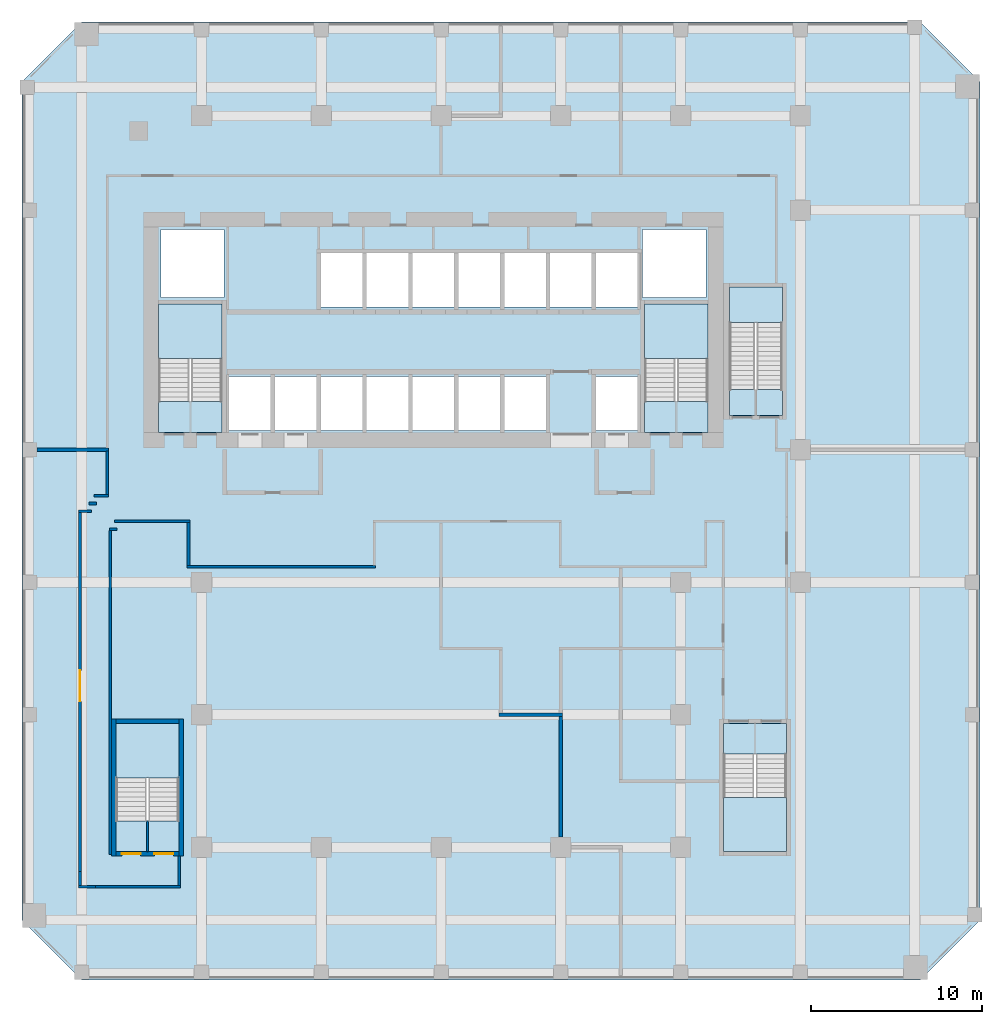
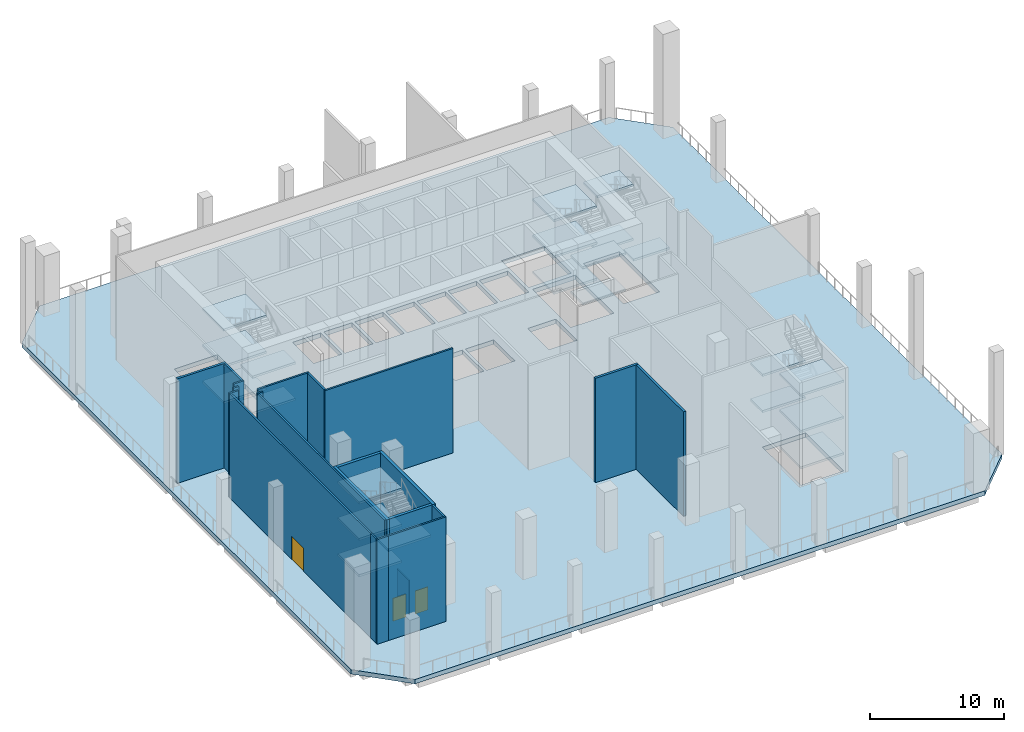
# One storey, part 2 of 12: 23 slabs, 22 walls, 3 doors, 3 openings, 5 elements without a shape of their own.
"""IFC4 building model written with IfcOpenShell, lengths in metres."""

from ifc_helpers import new_model, si_unit, direction, frame, frame_2d, origin, place, context, subcontext, project, spatial, polyline, rectangle, outline, extrude, source, transform, mapped, material, layer, layer_set, type_object, element, fill, aggregate, save


model = new_model("IFC4")

# Units and contexts
model_context = context("Model", 3, precision=1e-05, world=origin(), true_north=direction((0.0, 1.0)))
body_context = subcontext(model_context, "Body", "Model", "MODEL_VIEW")
ifc_project = project(units=[si_unit("LENGTHUNIT", "METRE"), si_unit("AREAUNIT", "SQUARE_METRE"), si_unit("VOLUMEUNIT", "CUBIC_METRE"), si_unit("PLANEANGLEUNIT", "RADIAN"), si_unit("MASSUNIT", "GRAM", prefix="KILO")], contexts=[model_context])

# Site, building, storey
site_placement = place(None, origin())
site = spatial("IfcSite", under=ifc_project, at=site_placement, CompositionType="ELEMENT")
building_placement = place(site_placement, origin())
building = spatial("IfcBuilding", under=site, at=building_placement, Name="Kilnfold Tower and Market Hall", CompositionType="ELEMENT")
storey_placement = place(building_placement, frame((0.0, 0.0, 128.60009765625)))
storey = spatial("IfcBuildingStorey", under=building, at=storey_placement, Name="L30 Refuge Wind Floor", CompositionType="ELEMENT", Elevation=128.60009765625)

# Slab
ifc_material_1 = material(Name="Concrete C45", Category="concrete")
ifc_layer_1 = layer(ifc_material_1, 0.39990234375)
ifc_layer_set_1 = layer_set([ifc_layer_1], Name="Concrete C45")
slab_type_1 = type_object("IfcSlabType", Name="FLOOR SLAB 400", PredefinedType="FLOOR", material=ifc_layer_set_1)
shared_shape_1 = source(origin(), body_context, "Body", "SweptSolid", [
    extrude(outline(polyline([(-19.5, -23.0), (29.5, -23.0), (33.0, -19.5), (33.0, 29.5), (29.5, 33.0), (-19.5, 33.0), (-23.0, 29.5), (-23.0, -19.5), (-19.5, -23.0)]), holes=[polyline([(-13.800537109375, -13.699462890625), (-17.49951171875, -13.699462890625), (-17.49951171875, -8.00048828125), (-13.800537109375, -8.00048828125), (-13.800537109375, -13.699462890625)]), polyline([(-14.99951171875, 10.800537109375), (-14.99951171875, 16.49951171875), (-11.300537109375, 16.49951171875), (-11.300537109375, 10.800537109375), (-14.99951171875, 10.800537109375)]), polyline([(-14.875, 16.875), (-14.875, 20.875), (-11.175048828125, 20.875), (-11.175048828125, 16.875), (-14.875, 16.875)]), polyline([(-8.455078125, 9.125), (-10.885009765625, 9.125), (-10.885009765625, 12.27490234375), (-8.455078125, 12.27490234375), (-8.455078125, 9.125)]), polyline([(-5.77490234375, 9.125), (-8.205078125, 9.125), (-8.205078125, 12.27490234375), (-5.77490234375, 12.27490234375), (-5.77490234375, 9.125)]), polyline([(-5.52490234375, 9.125), (-5.52490234375, 12.27490234375), (-3.094970703125, 12.27490234375), (-3.094970703125, 9.125), (-5.52490234375, 9.125)]), polyline([(-5.52490234375, 16.324951171875), (-5.52490234375, 19.47509765625), (-3.094970703125, 19.47509765625), (-3.094970703125, 16.324951171875), (-5.52490234375, 16.324951171875)]), polyline([(-2.844970703125, 9.125), (-2.844970703125, 12.27490234375), (-0.4150390625, 12.27490234375), (-0.4150390625, 9.125), (-2.844970703125, 9.125)]), polyline([(-0.4150390625, 16.324951171875), (-2.844970703125, 16.324951171875), (-2.844970703125, 19.47509765625), (-0.4150390625, 19.47509765625), (-0.4150390625, 16.324951171875)]), polyline([(2.264892578125, 9.125), (-0.1650390625, 9.125), (-0.1650390625, 12.27490234375), (2.264892578125, 12.27490234375), (2.264892578125, 9.125)]), polyline([(-0.1650390625, 16.324951171875), (-0.1650390625, 19.47509765625), (2.264892578125, 19.47509765625), (2.264892578125, 16.324951171875), (-0.1650390625, 16.324951171875)]), polyline([(4.945068359375, 9.125), (2.514892578125, 9.125), (2.514892578125, 12.27490234375), (4.945068359375, 12.27490234375), (4.945068359375, 9.125)]), polyline([(2.514892578125, 16.324951171875), (2.514892578125, 19.47509765625), (4.945068359375, 19.47509765625), (4.945068359375, 16.324951171875), (2.514892578125, 16.324951171875)]), polyline([(7.625, 9.125), (5.195068359375, 9.125), (5.195068359375, 12.27490234375), (7.625, 12.27490234375), (7.625, 9.125)]), polyline([(5.195068359375, 16.324951171875), (5.195068359375, 19.47509765625), (7.625, 19.47509765625), (7.625, 16.324951171875), (5.195068359375, 16.324951171875)]), polyline([(10.304931640625, 16.324951171875), (7.875, 16.324951171875), (7.875, 19.47509765625), (10.304931640625, 19.47509765625), (10.304931640625, 16.324951171875)]), polyline([(10.554931640625, 9.125), (10.554931640625, 12.27490234375), (12.985107421875, 12.27490234375), (12.985107421875, 9.125), (10.554931640625, 9.125)]), polyline([(10.554931640625, 16.324951171875), (10.554931640625, 19.47509765625), (12.985107421875, 19.47509765625), (12.985107421875, 16.324951171875), (10.554931640625, 16.324951171875)]), polyline([(13.27490234375, 16.875), (13.27490234375, 20.875), (16.97509765625, 20.875), (16.97509765625, 16.875), (13.27490234375, 16.875)]), polyline([(13.400390625, 10.800537109375), (13.400390625, 16.49951171875), (17.099609375, 16.49951171875), (17.099609375, 10.800537109375), (13.400390625, 10.800537109375)]), polyline([(18.00048828125, -9.800537109375), (21.699462890625, -9.800537109375), (21.699462890625, -15.49951171875), (18.00048828125, -15.49951171875), (18.00048828125, -9.800537109375)]), polyline([(21.449462890625, 11.50048828125), (18.3505859375, 11.50048828125), (18.3505859375, 17.49951171875), (21.449462890625, 17.49951171875), (21.449462890625, 11.50048828125)])]), origin(), (0.0, 0.0, 1.0), 0.400146484375),
])
slab_1_placement = place(storey_placement, frame((0.0, 0.0, -0.400146484375)))
element("IfcSlab", 1, at=slab_1_placement, inside=storey, type_object=slab_type_1, Name="Floor slab L30", PredefinedType="FLOOR", context=body_context, shape_type="MappedRepresentation", body=[
    mapped(shared_shape_1, transform((0.0, 0.0, 0.0))),
])

# Stair, slabs
ifc_material_2 = material(Name="Concrete C40/50", Category="concrete")
stair_type_1 = type_object("IfcStairType", Name="CORE STAIR 1800", PredefinedType="HALF_TURN_STAIR", material=ifc_material_2)
stair_1_placement = place(storey_placement, origin())
stair_1 = element("IfcStair", 2, at=stair_1_placement, inside=storey, type_object=stair_type_1, Name="L30 Refuge Wind Floor ST1", PredefinedType="HALF_TURN_STAIR")
ifc_material_3 = material(Name="Concrete C40/50", Category="concrete")
ifc_layer_2 = layer(ifc_material_3, 0.199951171875)
ifc_layer_set_2 = layer_set([ifc_layer_2], Name="Concrete C40/50")
slab_type_2 = type_object("IfcSlabType", Name="CORE STAIR LANDING 200", PredefinedType="LANDING", material=ifc_layer_set_2)
shared_shape_2 = source(origin(), body_context, "Body", "SweptSolid", [
    extrude(outline(polyline([(-11.300048828125, 9.0), (-11.300048828125, 10.800048828125), (-15.0, 10.800048828125), (-15.0, 9.0), (-11.300048828125, 9.0)])), origin(), (0.0, 0.0, 1.0), 0.199951171875),
])
slab_2_placement = place(storey_placement, frame((0.0, 0.0, 3.099853515625)))
slab_2 = element("IfcSlab", 3, at=slab_2_placement, type_object=slab_type_2, Name="ST1 landing 2", PredefinedType="LANDING", context=body_context, shape_type="MappedRepresentation", body=[
    mapped(shared_shape_2, transform((0.0, 0.0, 0.0))),
])
slab_3_placement = place(storey_placement, frame((0.0, 0.0, 6.39990234375)))
slab_3 = element("IfcSlab", 4, at=slab_3_placement, type_object=slab_type_2, Name="ST1 landing 4", PredefinedType="LANDING", context=body_context, shape_type="MappedRepresentation", body=[
    mapped(shared_shape_2, transform((0.0, 0.0, 0.0))),
])
shared_shape_3 = source(origin(), body_context, "Body", "SweptSolid", [
    extrude(outline(polyline([(-11.300048828125, 13.320068359375), (-11.300048828125, 16.5), (-15.0, 16.5), (-15.0, 13.320068359375), (-11.300048828125, 13.320068359375)])), origin(), (0.0, 0.0, 1.0), 0.199951171875),
])
slab_4_placement = place(storey_placement, frame((0.0, 0.0, 1.449951171875)))
slab_4 = element("IfcSlab", 5, at=slab_4_placement, type_object=slab_type_2, Name="ST1 landing 1", PredefinedType="LANDING", context=body_context, shape_type="MappedRepresentation", body=[
    mapped(shared_shape_3, transform((0.0, 0.0, 0.0))),
])
slab_5_placement = place(storey_placement, frame((0.0, 0.0, 4.75)))
slab_5 = element("IfcSlab", 6, at=slab_5_placement, type_object=slab_type_2, Name="ST1 landing 3", PredefinedType="LANDING", context=body_context, shape_type="MappedRepresentation", body=[
    mapped(shared_shape_3, transform((0.0, 0.0, 0.0))),
])
shared_shape_4 = source(origin(), body_context, "Body", "SweptSolid", [
    extrude(outline(polyline([(-11.300048828125, 13.320068359375), (-11.300048828125, 16.5), (-15.0, 16.5), (-15.0, 13.320068359375), (-11.300048828125, 13.320068359375)])), origin(), (0.0, 0.0, 1.0), 0.2001953125),
])
slab_6_placement = place(storey_placement, frame((0.0, 0.0, 8.0498046875)))
slab_6 = element("IfcSlab", 7, at=slab_6_placement, type_object=slab_type_2, Name="ST1 landing 5", PredefinedType="LANDING", context=body_context, shape_type="MappedRepresentation", body=[
    mapped(shared_shape_4, transform((0.0, 0.0, 0.0))),
])
aggregate(stair_1, [slab_4, slab_2, slab_5, slab_3, slab_6])

stair_2_placement = place(storey_placement, origin())
stair_2 = element("IfcStair", 8, at=stair_2_placement, inside=storey, type_object=stair_type_1, Name="L30 Refuge Wind Floor ST2", PredefinedType="HALF_TURN_STAIR")
shared_shape_5 = source(origin(), body_context, "Body", "SweptSolid", [
    extrude(outline(polyline([(17.10009765625, 9.0), (17.10009765625, 10.800048828125), (13.39990234375, 10.800048828125), (13.39990234375, 9.0), (17.10009765625, 9.0)])), origin(), (0.0, 0.0, 1.0), 0.199951171875),
])
slab_7_placement = place(storey_placement, frame((0.0, 0.0, 3.099853515625)))
slab_7 = element("IfcSlab", 9, at=slab_7_placement, type_object=slab_type_2, Name="ST2 landing 2", PredefinedType="LANDING", context=body_context, shape_type="MappedRepresentation", body=[
    mapped(shared_shape_5, transform((0.0, 0.0, 0.0))),
])
slab_8_placement = place(storey_placement, frame((0.0, 0.0, 6.39990234375)))
slab_8 = element("IfcSlab", 10, at=slab_8_placement, type_object=slab_type_2, Name="ST2 landing 4", PredefinedType="LANDING", context=body_context, shape_type="MappedRepresentation", body=[
    mapped(shared_shape_5, transform((0.0, 0.0, 0.0))),
])
shared_shape_6 = source(origin(), body_context, "Body", "SweptSolid", [
    extrude(outline(polyline([(17.10009765625, 13.320068359375), (17.10009765625, 16.5), (13.39990234375, 16.5), (13.39990234375, 13.320068359375), (17.10009765625, 13.320068359375)])), origin(), (0.0, 0.0, 1.0), 0.199951171875),
])
slab_9_placement = place(storey_placement, frame((0.0, 0.0, 1.449951171875)))
slab_9 = element("IfcSlab", 11, at=slab_9_placement, type_object=slab_type_2, Name="ST2 landing 1", PredefinedType="LANDING", context=body_context, shape_type="MappedRepresentation", body=[
    mapped(shared_shape_6, transform((0.0, 0.0, 0.0))),
])
slab_10_placement = place(storey_placement, frame((0.0, 0.0, 4.75)))
slab_10 = element("IfcSlab", 12, at=slab_10_placement, type_object=slab_type_2, Name="ST2 landing 3", PredefinedType="LANDING", context=body_context, shape_type="MappedRepresentation", body=[
    mapped(shared_shape_6, transform((0.0, 0.0, 0.0))),
])
shared_shape_7 = source(origin(), body_context, "Body", "SweptSolid", [
    extrude(outline(polyline([(17.10009765625, 13.320068359375), (17.10009765625, 16.5), (13.39990234375, 16.5), (13.39990234375, 13.320068359375), (17.10009765625, 13.320068359375)])), origin(), (0.0, 0.0, 1.0), 0.2001953125),
])
slab_11_placement = place(storey_placement, frame((0.0, 0.0, 8.0498046875)))
slab_11 = element("IfcSlab", 13, at=slab_11_placement, type_object=slab_type_2, Name="ST2 landing 5", PredefinedType="LANDING", context=body_context, shape_type="MappedRepresentation", body=[
    mapped(shared_shape_7, transform((0.0, 0.0, 0.0))),
])
aggregate(stair_2, [slab_9, slab_7, slab_10, slab_8, slab_11])

stair_3_placement = place(storey_placement, origin())
stair_3 = element("IfcStair", 14, at=stair_3_placement, inside=storey, type_object=stair_type_1, Name="L30 Refuge Wind Floor ST3", PredefinedType="HALF_TURN_STAIR")
shared_shape_8 = source(origin(), body_context, "Body", "SweptSolid", [
    extrude(outline(polyline([(-13.800048828125, -15.5), (-13.800048828125, -13.699951171875), (-17.5, -13.699951171875), (-17.5, -15.5), (-13.800048828125, -15.5)])), origin(), (0.0, 0.0, 1.0), 0.199951171875),
])
slab_12_placement = place(storey_placement, frame((0.0, 0.0, 6.39990234375)))
slab_12 = element("IfcSlab", 15, at=slab_12_placement, type_object=slab_type_2, Name="ST3 landing 4", PredefinedType="LANDING", context=body_context, shape_type="MappedRepresentation", body=[
    mapped(shared_shape_8, transform((0.0, 0.0, 0.0))),
])
shared_shape_9 = source(origin(), body_context, "Body", "SweptSolid", [
    extrude(outline(polyline([(-13.800048828125, -11.179931640625), (-13.800048828125, -8.0), (-17.5, -8.0), (-17.5, -11.179931640625), (-13.800048828125, -11.179931640625)])), origin(), (0.0, 0.0, 1.0), 0.199951171875),
])
slab_13_placement = place(storey_placement, frame((0.0, 0.0, 1.449951171875)))
slab_13 = element("IfcSlab", 16, at=slab_13_placement, type_object=slab_type_2, Name="ST3 landing 1", PredefinedType="LANDING", context=body_context, shape_type="MappedRepresentation", body=[
    mapped(shared_shape_9, transform((0.0, 0.0, 0.0))),
])
slab_14_placement = place(storey_placement, frame((0.0, 0.0, 4.75)))
slab_14 = element("IfcSlab", 17, at=slab_14_placement, type_object=slab_type_2, Name="ST3 landing 3", PredefinedType="LANDING", context=body_context, shape_type="MappedRepresentation", body=[
    mapped(shared_shape_9, transform((0.0, 0.0, 0.0))),
])
shared_shape_10 = source(origin(), body_context, "Body", "SweptSolid", [
    extrude(outline(polyline([(-13.800048828125, -11.179931640625), (-13.800048828125, -8.0), (-17.5, -8.0), (-17.5, -11.179931640625), (-13.800048828125, -11.179931640625)])), origin(), (0.0, 0.0, 1.0), 0.2001953125),
])
slab_15_placement = place(storey_placement, frame((0.0, 0.0, 8.0498046875)))
slab_15 = element("IfcSlab", 18, at=slab_15_placement, type_object=slab_type_2, Name="ST3 landing 5", PredefinedType="LANDING", context=body_context, shape_type="MappedRepresentation", body=[
    mapped(shared_shape_10, transform((0.0, 0.0, 0.0))),
])
aggregate(stair_3, [slab_13, slab_14, slab_12, slab_15])

stair_4_placement = place(storey_placement, origin())
stair_4 = element("IfcStair", 19, at=stair_4_placement, inside=storey, type_object=stair_type_1, Name="L30 Refuge Wind Floor ST4", PredefinedType="HALF_TURN_STAIR")
shared_shape_11 = source(origin(), body_context, "Body", "SweptSolid", [
    extrude(outline(polyline([(18.0, -8.0), (18.0, -9.800048828125), (21.699951171875, -9.800048828125), (21.699951171875, -8.0), (18.0, -8.0)])), origin(), (0.0, 0.0, 1.0), 0.199951171875),
])
slab_16_placement = place(storey_placement, frame((0.0, 0.0, 3.099853515625)))
slab_16 = element("IfcSlab", 20, at=slab_16_placement, type_object=slab_type_2, Name="ST4 landing 2", PredefinedType="LANDING", context=body_context, shape_type="MappedRepresentation", body=[
    mapped(shared_shape_11, transform((0.0, 0.0, 0.0))),
])
slab_17_placement = place(storey_placement, frame((0.0, 0.0, 6.39990234375)))
slab_17 = element("IfcSlab", 21, at=slab_17_placement, type_object=slab_type_2, Name="ST4 landing 4", PredefinedType="LANDING", context=body_context, shape_type="MappedRepresentation", body=[
    mapped(shared_shape_11, transform((0.0, 0.0, 0.0))),
])
shared_shape_12 = source(origin(), body_context, "Body", "SweptSolid", [
    extrude(outline(polyline([(18.0, -12.320068359375), (18.0, -15.5), (21.699951171875, -15.5), (21.699951171875, -12.320068359375), (18.0, -12.320068359375)])), origin(), (0.0, 0.0, 1.0), 0.199951171875),
])
slab_18_placement = place(storey_placement, frame((0.0, 0.0, 1.449951171875)))
slab_18 = element("IfcSlab", 22, at=slab_18_placement, type_object=slab_type_2, Name="ST4 landing 1", PredefinedType="LANDING", context=body_context, shape_type="MappedRepresentation", body=[
    mapped(shared_shape_12, transform((0.0, 0.0, 0.0))),
])
slab_19_placement = place(storey_placement, frame((0.0, 0.0, 4.75)))
slab_19 = element("IfcSlab", 23, at=slab_19_placement, type_object=slab_type_2, Name="ST4 landing 3", PredefinedType="LANDING", context=body_context, shape_type="MappedRepresentation", body=[
    mapped(shared_shape_12, transform((0.0, 0.0, 0.0))),
])
shared_shape_13 = source(origin(), body_context, "Body", "SweptSolid", [
    extrude(outline(polyline([(18.0, -12.320068359375), (18.0, -15.5), (21.699951171875, -15.5), (21.699951171875, -12.320068359375), (18.0, -12.320068359375)])), origin(), (0.0, 0.0, 1.0), 0.2001953125),
])
slab_20_placement = place(storey_placement, frame((0.0, 0.0, 8.0498046875)))
slab_20 = element("IfcSlab", 24, at=slab_20_placement, type_object=slab_type_2, Name="ST4 landing 5", PredefinedType="LANDING", context=body_context, shape_type="MappedRepresentation", body=[
    mapped(shared_shape_13, transform((0.0, 0.0, 0.0))),
])
aggregate(stair_4, [slab_18, slab_16, slab_19, slab_17, slab_20])

ifc_material_4 = material(Name="Concrete C40/50", Category="concrete")
stair_type_2 = type_object("IfcStairType", Name="CORE STAIR 1500", PredefinedType="HALF_TURN_STAIR", material=ifc_material_4)
stair_5_placement = place(storey_placement, origin())
stair_5 = element("IfcStair", 25, at=stair_5_placement, inside=storey, type_object=stair_type_2, Name="L30 Refuge Wind Floor ST5", PredefinedType="HALF_TURN_STAIR")
shared_shape_14 = source(origin(), body_context, "Body", "SweptSolid", [
    extrude(outline(polyline([(21.449951171875, 10.0), (21.449951171875, 11.5), (18.35009765625, 11.5), (18.35009765625, 10.0), (21.449951171875, 10.0)])), origin(), (0.0, 0.0, 1.0), 0.199951171875),
])
slab_21_placement = place(storey_placement, frame((0.0, 0.0, 4.75)))
slab_21 = element("IfcSlab", 26, at=slab_21_placement, type_object=slab_type_2, Name="ST5 landing 2", PredefinedType="LANDING", context=body_context, shape_type="MappedRepresentation", body=[
    mapped(shared_shape_14, transform((0.0, 0.0, 0.0))),
])
shared_shape_15 = source(origin(), body_context, "Body", "SweptSolid", [
    extrude(outline(polyline([(21.449951171875, 15.419921875), (21.449951171875, 17.5), (18.35009765625, 17.5), (18.35009765625, 15.419921875), (21.449951171875, 15.419921875)])), origin(), (0.0, 0.0, 1.0), 0.199951171875),
])
slab_22_placement = place(storey_placement, frame((0.0, 0.0, 2.27490234375)))
slab_22 = element("IfcSlab", 27, at=slab_22_placement, type_object=slab_type_2, Name="ST5 landing 1", PredefinedType="LANDING", context=body_context, shape_type="MappedRepresentation", body=[
    mapped(shared_shape_15, transform((0.0, 0.0, 0.0))),
])
slab_23_placement = place(storey_placement, frame((0.0, 0.0, 7.224853515625)))
slab_23 = element("IfcSlab", 28, at=slab_23_placement, type_object=slab_type_2, Name="ST5 landing 3", PredefinedType="LANDING", context=body_context, shape_type="MappedRepresentation", body=[
    mapped(shared_shape_15, transform((0.0, 0.0, 0.0))),
])
aggregate(stair_5, [slab_22, slab_21, slab_23])

# Wall, opening, door
ifc_material_5 = material(Name="Gypsum board on steel studs", Category="steel")
ifc_layer_3 = layer(ifc_material_5, 0.14990234375)
ifc_layer_set_3 = layer_set([ifc_layer_3], Name="Gypsum board on steel studs")
wall_type_1 = type_object("IfcWallType", Name="WALL CORRIDOR 150", PredefinedType="PARTITIONING", material=ifc_layer_set_3)
wall_1_placement = place(storey_placement, frame((-19.60009765625, 4.324951171875, 0.0), z_axis=(0.0, 0.0, 1.0), x_axis=(0.0, -1.0, 0.0)))
wall_1 = element("IfcWall", 29, at=wall_1_placement, inside=storey, type_object=wall_type_1, Name="Partition LY19.1", PredefinedType="PARTITIONING", context=body_context, shape_type="SweptSolid", body=[
    extrude(rectangle(XDim=20.972900390625, YDim=0.14990234375, at=frame_2d((10.486328125, 0.0))), origin(), (0.0, 0.0, 1.0), 9.5),
])
opening_1_placement = place(wall_1_placement, frame((9.235107421875, 0.0, 0.0)))
opening_1 = element("IfcOpeningElement", 30, at=opening_1_placement, cuts=wall_1, Name="Opening D5", PredefinedType="OPENING", context=body_context, shape_type="SweptSolid", body=[
    extrude(rectangle(XDim=1.800048828125, YDim=2.10009765625, at=frame_2d((0.89990234375, 1.050048828125))), frame((0.0, 0.0849609375, 0.0), z_axis=(0.0, -1.0, 0.0), x_axis=(1.0, 0.0, 0.0)), (0.0, 0.0, 1.0), 0.169921875),
])
ifc_material_6 = material(Name="Timber veneer door leaf in steel frame", Category="steel")
door_type_1 = type_object("IfcDoorType", Name="DOOR DOUBLE 1800 X2100", OperationType="NOTDEFINED", PredefinedType="DOOR", material=ifc_material_6)
door_1_placement = place(opening_1_placement, origin())
door_1 = element("IfcDoor", 31, at=door_1_placement, inside=storey, type_object=door_type_1, Name="Door D5", OperationType="DOUBLE_DOOR_SINGLE_SWING", OverallHeight=2.10009765625, OverallWidth=1.800048828125, PredefinedType="DOOR", context=body_context, shape_type="SweptSolid", body=[
    extrude(rectangle(XDim=1.800048828125, YDim=2.10009765625, at=frame_2d((0.89990234375, 1.050048828125))), frame((0.0, 0.02490234375, 0.0), z_axis=(0.0, -1.0, 0.0), x_axis=(1.0, 0.0, 0.0)), (0.0, 0.0, 1.0), 0.050048828125),
])
fill(opening_1, door_1)

# Walls
wall_2_placement = place(storey_placement, frame((-18.925048828125, 4.39990234375, 0.0), z_axis=(0.0, 0.0, 1.0), x_axis=(-1.0, 0.0, 0.0)))
element("IfcWall", 32, at=wall_2_placement, inside=storey, type_object=wall_type_1, Name="Partition LY19.2", PredefinedType="PARTITIONING", context=body_context, shape_type="SweptSolid", body=[
    extrude(rectangle(XDim=0.75, YDim=0.14990234375, at=frame_2d((0.375, 0.0))), origin(), (0.0, 0.0, 1.0), 9.5),
])
wall_3_placement = place(storey_placement, frame((-18.625, 4.85009765625, 0.0), z_axis=(0.0, 0.0, 1.0), x_axis=(-1.0, 0.0, 0.0)))
element("IfcWall", 33, at=wall_3_placement, inside=storey, type_object=wall_type_1, Name="Partition LY19.3", PredefinedType="PARTITIONING", context=body_context, shape_type="SweptSolid", body=[
    extrude(rectangle(XDim=0.449951171875, YDim=0.14990234375, at=frame_2d((0.22509765625, 0.0))), origin(), (0.0, 0.0, 1.0), 9.5),
])
wall_4_placement = place(storey_placement, frame((-17.925048828125, 5.300048828125, 0.0), z_axis=(0.0, 0.0, 1.0), x_axis=(-1.0, 0.0, 0.0)))
element("IfcWall", 34, at=wall_4_placement, inside=storey, type_object=wall_type_1, Name="Partition LY19.4", PredefinedType="PARTITIONING", context=body_context, shape_type="SweptSolid", body=[
    extrude(rectangle(XDim=0.849853515625, YDim=0.14990234375, at=frame_2d((0.4248046875, 0.0))), origin(), (0.0, 0.0, 1.0), 9.5),
])
wall_5_placement = place(storey_placement, frame((-18.0, 5.375, 0.0), z_axis=(0.0, 0.0, 1.0), x_axis=(0.0, 1.0, 0.0)))
element("IfcWall", 35, at=wall_5_placement, inside=storey, type_object=wall_type_1, Name="Partition LY19.5", PredefinedType="PARTITIONING", context=body_context, shape_type="SweptSolid", body=[
    extrude(rectangle(XDim=2.534912109375, YDim=0.14990234375, at=frame_2d((1.267578125, 0.0))), origin(), (0.0, 0.0, 1.0), 9.5),
])
wall_6_placement = place(storey_placement, frame((-13.3349609375, 1.14990234375, 0.0), z_axis=(0.0, 0.0, 1.0), x_axis=(1.0, 0.0, 0.0)))
element("IfcWall", 36, at=wall_6_placement, inside=storey, type_object=wall_type_1, Name="Partition LY19.8", PredefinedType="PARTITIONING", context=body_context, shape_type="SweptSolid", body=[
    extrude(rectangle(XDim=11.010009765625, YDim=0.14990234375, at=frame_2d((5.5048828125, 0.0))), origin(), (0.0, 0.0, 1.0), 9.5),
])
wall_7_placement = place(storey_placement, frame((-13.260009765625, 3.72509765625, 0.0), z_axis=(0.0, 0.0, 1.0), x_axis=(0.0, -1.0, 0.0)))
element("IfcWall", 37, at=wall_7_placement, inside=storey, type_object=wall_type_1, Name="Partition LY19.9", PredefinedType="PARTITIONING", context=body_context, shape_type="SweptSolid", body=[
    extrude(rectangle(XDim=2.5, YDim=0.14990234375, at=frame_2d((1.25, 0.0))), origin(), (0.0, 0.0, 1.0), 9.5),
])
wall_8_placement = place(storey_placement, frame((-17.574951171875, 3.800048828125, 0.0), z_axis=(0.0, 0.0, 1.0), x_axis=(1.0, 0.0, 0.0)))
element("IfcWall", 38, at=wall_8_placement, inside=storey, type_object=wall_type_1, Name="Partition LY19.10", PredefinedType="PARTITIONING", context=body_context, shape_type="SweptSolid", body=[
    extrude(rectangle(XDim=4.389892578125, YDim=0.14990234375, at=frame_2d((2.19482421875, 0.0))), origin(), (0.0, 0.0, 1.0), 9.5),
])
wall_9_placement = place(storey_placement, frame((-17.875, 3.35009765625, 0.0), z_axis=(0.0, 0.0, 1.0), x_axis=(1.0, 0.0, 0.0)))
element("IfcWall", 39, at=wall_9_placement, inside=storey, type_object=wall_type_1, Name="Partition LY19.11", PredefinedType="PARTITIONING", context=body_context, shape_type="SweptSolid", body=[
    extrude(rectangle(XDim=0.449951171875, YDim=0.14990234375, at=frame_2d((0.22509765625, 0.0))), origin(), (0.0, 0.0, 1.0), 9.5),
])
wall_10_placement = place(storey_placement, frame((-17.830078125, -15.675048828125, 0.0), z_axis=(0.0, 0.0, 1.0), x_axis=(0.0, 1.0, 0.0)))
element("IfcWall", 40, at=wall_10_placement, inside=storey, type_object=wall_type_1, Name="Partition LY19.12", PredefinedType="PARTITIONING", context=body_context, shape_type="SweptSolid", body=[
    extrude(rectangle(XDim=18.949951171875, YDim=0.14990234375, at=frame_2d((9.47509765625, 0.0))), origin(), (0.0, 0.0, 1.0), 9.5),
])
wall_11_placement = place(storey_placement, frame((-13.800048828125, -17.47509765625, 0.0), z_axis=(0.0, 0.0, 1.0), x_axis=(0.0, 1.0, 0.0)))
element("IfcWall", 41, at=wall_11_placement, inside=storey, type_object=wall_type_1, Name="Partition LY19.13", PredefinedType="PARTITIONING", context=body_context, shape_type="SweptSolid", body=[
    extrude(rectangle(XDim=1.72509765625, YDim=0.14990234375, at=frame_2d((0.862548828125, 0.0))), origin(), (0.0, 0.0, 1.0), 9.5),
])
wall_12_placement = place(storey_placement, frame((-18.697998046875, -17.550048828125, 0.0), z_axis=(0.0, 0.0, 1.0), x_axis=(1.0, 0.0, 0.0)))
element("IfcWall", 42, at=wall_12_placement, inside=storey, type_object=wall_type_1, Name="Partition LY19.14", PredefinedType="PARTITIONING", context=body_context, shape_type="SweptSolid", body=[
    extrude(rectangle(XDim=4.972900390625, YDim=0.14990234375, at=frame_2d((2.486328125, 0.0))), origin(), (0.0, 0.0, 1.0), 9.5),
])
wall_13_placement = place(storey_placement, frame((-19.677001953125, -17.552001953125, 0.0), z_axis=(0.0, 0.0, 1.0), x_axis=(1.0, 0.0, 0.0)))
element("IfcWall", 43, at=wall_13_placement, inside=storey, type_object=wall_type_1, Name="Partition LY19.15", PredefinedType="PARTITIONING", context=body_context, shape_type="SweptSolid", body=[
    extrude(rectangle(XDim=0.97900390625, YDim=0.14990234375, at=frame_2d((0.489501953125, 0.0))), origin(), (0.0, 0.0, 1.0), 9.5),
])
wall_14_placement = place(storey_placement, frame((-19.60205078125, -16.64794921875, 0.0), z_axis=(0.0, 0.0, 1.0), x_axis=(0.0, -1.0, 0.0)))
element("IfcWall", 44, at=wall_14_placement, inside=storey, type_object=wall_type_1, Name="Partition LY19.16", PredefinedType="PARTITIONING", context=body_context, shape_type="SweptSolid", body=[
    extrude(rectangle(XDim=0.8291015625, YDim=0.14990234375, at=frame_2d((0.41455078125, 0.0))), origin(), (0.0, 0.0, 1.0), 9.5),
])
ifc_material_7 = material(Name="Gypsum board on steel studs", Category="steel")
ifc_layer_4 = layer(ifc_material_7, 0.199951171875)
ifc_layer_set_4 = layer_set([ifc_layer_4], Name="Gypsum board on steel studs")
wall_type_2 = type_object("IfcWallType", Name="WALL PARTY 200", PredefinedType="PARTITIONING", material=ifc_layer_set_4)
wall_15_placement = place(storey_placement, frame((8.60009765625, -7.5, 0.0), z_axis=(0.0, 0.0, 1.0), x_axis=(-1.0, 0.0, 0.0)))
element("IfcWall", 45, at=wall_15_placement, inside=storey, type_object=wall_type_2, Name="Partition LY19.32", PredefinedType="PARTITIONING", context=body_context, shape_type="SweptSolid", body=[
    extrude(rectangle(XDim=3.7001953125, YDim=0.199951171875, at=frame_2d((1.85009765625, 0.0))), origin(), (0.0, 0.0, 1.0), 9.5),
])
wall_16_placement = place(storey_placement, frame((8.5, -14.64990234375, 0.0), z_axis=(0.0, 0.0, 1.0), x_axis=(0.0, 1.0, 0.0)))
element("IfcWall", 46, at=wall_16_placement, inside=storey, type_object=wall_type_2, Name="Partition LY19.33", PredefinedType="PARTITIONING", context=body_context, shape_type="SweptSolid", body=[
    extrude(rectangle(XDim=7.0498046875, YDim=0.199951171875, at=frame_2d((3.52490234375, 0.0))), origin(), (0.0, 0.0, 1.0), 9.5),
])
wall_17_placement = place(storey_placement, frame((-22.125, 8.0, 0.0), z_axis=(0.0, 0.0, 1.0), x_axis=(1.0, 0.0, 0.0)))
element("IfcWall", 47, at=wall_17_placement, inside=storey, type_object=wall_type_2, Name="Partition LY19.36", PredefinedType="PARTITIONING", context=body_context, shape_type="SweptSolid", body=[
    extrude(rectangle(XDim=4.197998046875, YDim=0.199951171875, at=frame_2d((2.09912109375, 0.0))), origin(), (0.0, 0.0, 1.0), 9.5),
])

# Wall, openings, doors
ifc_material_8 = material(Name="Concrete C70", Category="concrete")
ifc_layer_5 = layer(ifc_material_8, 0.25)
ifc_layer_set_5 = layer_set([ifc_layer_5], Name="Concrete C70")
wall_type_3 = type_object("IfcWallType", Name="CORE WALL 250 C70", PredefinedType="SHEAR", material=ifc_layer_set_5)
shared_shape_16 = source(origin(), body_context, "Body", "SweptSolid", [
    extrude(rectangle(XDim=3.699951171875, YDim=0.25, at=frame_2d((1.85009765625, 0.0))), origin(), (0.0, 0.0, 1.0), 9.5),
])
wall_18_placement = place(storey_placement, frame((-17.5, -15.625, 0.0), z_axis=(0.0, 0.0, 1.0), x_axis=(1.0, 0.0, 0.0)))
wall_18 = element("IfcWall", 48, at=wall_18_placement, inside=storey, type_object=wall_type_3, Name="Stair enclosure ST3", PredefinedType="SHEAR", context=body_context, shape_type="MappedRepresentation", body=[
    mapped(shared_shape_16, transform((0.0, 0.0, 0.0))),
])
opening_2_placement = place(wall_18_placement, frame((0.35009765625, 0.0, 0.0)))
opening_2 = element("IfcOpeningElement", 49, at=opening_2_placement, cuts=wall_18, Name="Opening SD3", PredefinedType="OPENING", context=body_context, shape_type="SweptSolid", body=[
    extrude(rectangle(XDim=1.10009765625, YDim=2.10009765625, at=frame_2d((0.550048828125, 1.050048828125))), frame((0.0, 0.135009765625, 0.0), z_axis=(0.0, -1.0, 0.0), x_axis=(1.0, 0.0, 0.0)), (0.0, 0.0, 1.0), 0.27001953125),
])
opening_3_placement = place(wall_18_placement, frame((2.25, 0.0, 0.0)))
opening_3 = element("IfcOpeningElement", 50, at=opening_3_placement, cuts=wall_18, Name="Opening SD3", PredefinedType="OPENING", context=body_context, shape_type="SweptSolid", body=[
    extrude(rectangle(XDim=1.10009765625, YDim=2.10009765625, at=frame_2d((0.550048828125, 1.050048828125))), frame((0.0, 0.135009765625, 0.0), z_axis=(0.0, -1.0, 0.0), x_axis=(1.0, 0.0, 0.0)), (0.0, 0.0, 1.0), 0.27001953125),
])
ifc_material_9 = material(Name="Steel door set with fire-resisting leaf", Category="steel")
door_type_2 = type_object("IfcDoorType", Name="STAIR REFUGE DOOR 1100X2100", OperationType="NOTDEFINED", PredefinedType="DOOR", material=ifc_material_9)
door_2_placement = place(opening_2_placement, origin())
door_2 = element("IfcDoor", 51, at=door_2_placement, inside=storey, type_object=door_type_2, Name="Exit stair ST3 door from refuge", OperationType="SINGLE_SWING_RIGHT", OverallHeight=2.10009765625, OverallWidth=1.10009765625, PredefinedType="DOOR", context=body_context, shape_type="SweptSolid", body=[
    extrude(rectangle(XDim=1.10009765625, YDim=2.10009765625, at=frame_2d((0.550048828125, 1.050048828125))), frame((0.0, 0.02490234375, 0.0), z_axis=(0.0, -1.0, 0.0), x_axis=(1.0, 0.0, 0.0)), (0.0, 0.0, 1.0), 0.050048828125),
])
fill(opening_2, door_2)
door_3_placement = place(opening_3_placement, origin())
door_3 = element("IfcDoor", 52, at=door_3_placement, inside=storey, type_object=door_type_2, Name="Exit stair ST3 door to refuge", OperationType="SINGLE_SWING_LEFT", OverallHeight=2.10009765625, OverallWidth=1.10009765625, PredefinedType="DOOR", context=body_context, shape_type="SweptSolid", body=[
    extrude(rectangle(XDim=1.10009765625, YDim=2.10009765625, at=frame_2d((0.550048828125, 1.050048828125))), frame((0.0, 0.02490234375, 0.0), z_axis=(0.0, -1.0, 0.0), x_axis=(1.0, 0.0, 0.0)), (0.0, 0.0, 1.0), 0.050048828125),
])
fill(opening_3, door_3)

# Walls
wall_19_placement = place(storey_placement, frame((-17.5, -7.875, 0.0), z_axis=(0.0, 0.0, 1.0), x_axis=(1.0, 0.0, 0.0)))
element("IfcWall", 53, at=wall_19_placement, inside=storey, type_object=wall_type_3, Name="Stair enclosure ST3", PredefinedType="SHEAR", context=body_context, shape_type="MappedRepresentation", body=[
    mapped(shared_shape_16, transform((0.0, 0.0, 0.0))),
])
shared_shape_17 = source(origin(), body_context, "Body", "SweptSolid", [
    extrude(rectangle(XDim=8.0, YDim=0.25, at=frame_2d((4.0, 0.0))), origin(), (0.0, 0.0, 1.0), 9.5),
])
for number, where, z_axis, x_axis, name in (
    (54, (-17.625, -15.75, 0.0), (0.0, 0.0, 1.0), (0.0, 1.0, 0.0), "Stair enclosure ST3"),
    (55, (-13.675048828125, -15.75, 0.0), (0.0, 0.0, 1.0), (0.0, 1.0, 0.0), "Stair enclosure ST3"),
):
    element("IfcWall", number, at=place(storey_placement, frame(where, z_axis=z_axis, x_axis=x_axis)), inside=storey, type_object=wall_type_3, Name=name, PredefinedType="SHEAR", context=body_context, shape_type="MappedRepresentation", body=[
        mapped(shared_shape_17, transform((0.0, 0.0, 0.0))),
    ])
ifc_material_10 = material(Name="Gypsum shaft wall system")
ifc_layer_6 = layer(ifc_material_10, 0.10009765625)
ifc_layer_set_6 = layer_set([ifc_layer_6], Name="Gypsum shaft wall system")
wall_type_4 = type_object("IfcWallType", Name="STAIR PARTITION 100", PredefinedType="PARTITIONING", material=ifc_layer_set_6)
shared_shape_18 = source(origin(), body_context, "Body", "SweptSolid", [
    extrude(rectangle(XDim=1.800048828125, YDim=0.10009765625, at=frame_2d((0.89990234375, 0.0))), origin(), (0.0, 0.0, 1.0), 3.099853515625),
])
wall_20_placement = place(storey_placement, frame((-15.64990234375, -15.5, 0.0), z_axis=(0.0, 0.0, 1.0), x_axis=(0.0, 1.0, 0.0)))
element("IfcWall", 56, at=wall_20_placement, inside=storey, type_object=wall_type_4, Name="Exit stair ST3 refuge partition", PredefinedType="PARTITIONING", context=body_context, shape_type="MappedRepresentation", body=[
    mapped(shared_shape_18, transform((0.0, 0.0, 0.0))),
])

save(model, "model.ifc")
